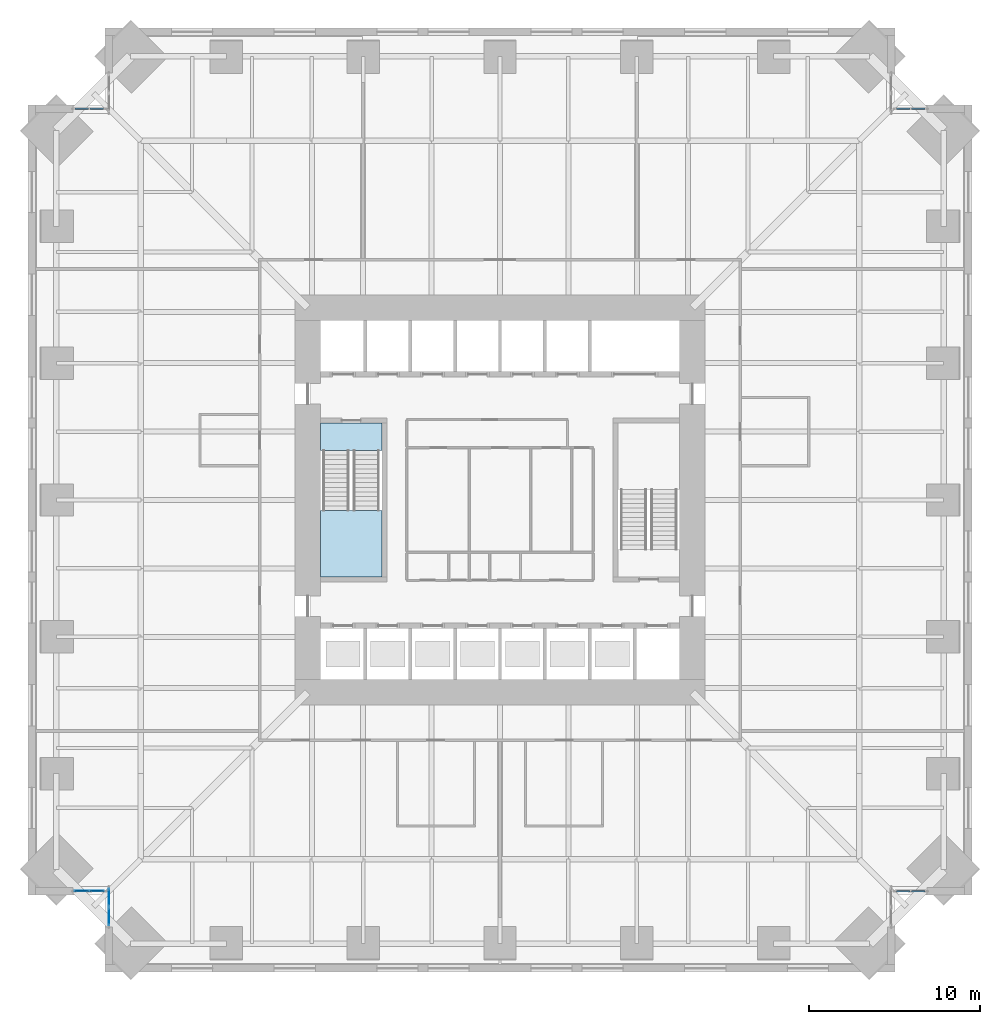
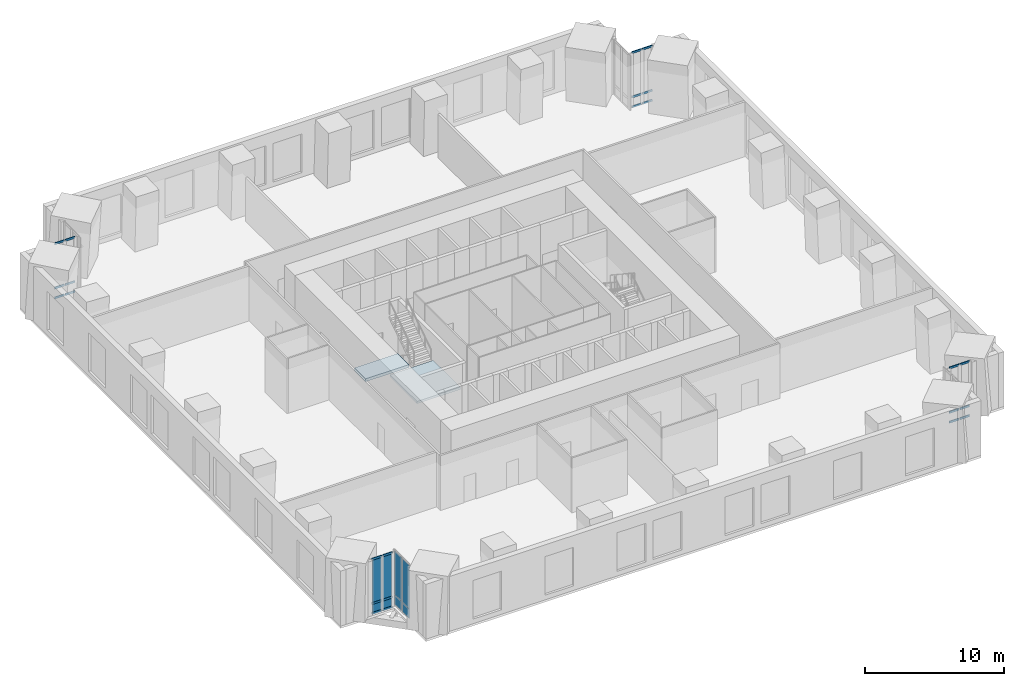
# One storey, part 9 of 18: 24 members, 8 plates, 2 slabs, 6 elements without a shape of their own.
"""IFC4 building model written with IfcOpenShell, lengths in metres."""

from ifc_helpers import new_model, si_unit, direction, frame, origin, origin_2d, place, context, subcontext, project, spatial, polyline, rectangle, hollow_rectangle, outline, extrude, material, layer, layer_set, material_profile, profile_set, type_object, element, aggregate, save


model = new_model("IFC4")

# Units and contexts
model_context = context("Model", 3, precision=1e-05, world=origin(), true_north=direction((0.0, 1.0)))
body_context = subcontext(model_context, "Body", "Model", "MODEL_VIEW")
ifc_project = project(units=[si_unit("LENGTHUNIT", "METRE"), si_unit("AREAUNIT", "SQUARE_METRE"), si_unit("VOLUMEUNIT", "CUBIC_METRE"), si_unit("PLANEANGLEUNIT", "RADIAN"), si_unit("MASSUNIT", "GRAM", prefix="KILO")], contexts=[model_context])

# Site, building, storey
site_placement = place(None, origin())
site = spatial("IfcSite", under=ifc_project, at=site_placement, CompositionType="ELEMENT")
building_placement = place(site_placement, origin())
building = spatial("IfcBuilding", under=site, at=building_placement, Name="Peilmerk Tower", CompositionType="ELEMENT")
storey_placement = place(building_placement, frame((0.0, 0.0, 122.800048828125)))
storey = spatial("IfcBuildingStorey", under=building, at=storey_placement, Name="L24", CompositionType="ELEMENT", Elevation=122.800048828125)

# Curtain wall, members
ifc_material_1 = material(Name="Aluminium stick curtain wall", Category="aluminium")
curtain_wall_type = type_object("IfcCurtainWallType", Name="CW2 stick curtain wall, 2250 module", PredefinedType="NOTDEFINED", material=ifc_material_1)
curtain_wall_1_placement = place(storey_placement, origin())
curtain_wall_1 = element("IfcCurtainWall", 1, at=curtain_wall_1_placement, inside=storey, type_object=curtain_wall_type, Name="Curtain wall CW2 NEB L24", PredefinedType="NOTDEFINED")
ifc_material_2 = material(Name="Aluminium EN AW-6063 T6", Category="aluminium")
ifc_material_profile = material_profile(ifc_material_2, hollow_rectangle(XDim=0.06494140625, YDim=0.179931640625, WallThickness=0.0029296875, at=origin_2d()), Name="AL 180x65x3")
ifc_profile_set = profile_set([ifc_material_profile], Name="Aluminium EN AW-6063 T6")
member_type = type_object("IfcMemberType", Name="CW2-T AL 180x65x3 transom", PredefinedType="USERDEFINED", material=ifc_profile_set)
member_1_placement = place(storey_placement, frame((23.179931640625, 22.875, 0.032470703125), z_axis=(1.0, 0.0, 0.0), x_axis=(0.0, 1.0, 0.0)))
member_1 = element("IfcMember", 2, at=member_1_placement, type_object=member_type, Name="CW2 transom 1.1", ObjectType="TRANSOM", PredefinedType="USERDEFINED", context=body_context, shape_type="SweptSolid", body=[
    extrude(hollow_rectangle(XDim=0.06494140625, YDim=0.179931640625, WallThickness=0.0029296875, at=origin_2d()), origin(), (0.0, 0.0, 1.0), 0.79931640625),
])
member_2_placement = place(storey_placement, frame((23.179931640625, 22.875, 0.89990234375), z_axis=(1.0, 0.0, 0.0), x_axis=(0.0, 1.0, 0.0)))
member_2 = element("IfcMember", 3, at=member_2_placement, type_object=member_type, Name="CW2 transom 1.2", ObjectType="TRANSOM", PredefinedType="USERDEFINED", context=body_context, shape_type="SweptSolid", body=[
    extrude(hollow_rectangle(XDim=0.06494140625, YDim=0.179931640625, WallThickness=0.0029296875, at=origin_2d()), origin(), (0.0, 0.0, 1.0), 0.79931640625),
])
member_3_placement = place(storey_placement, frame((23.179931640625, 22.875, 4.79736328125), z_axis=(1.0, 0.0, 0.0), x_axis=(0.0, 1.0, 0.0)))
member_3 = element("IfcMember", 4, at=member_3_placement, type_object=member_type, Name="CW2 transom 1.3", ObjectType="TRANSOM", PredefinedType="USERDEFINED", context=body_context, shape_type="SweptSolid", body=[
    extrude(hollow_rectangle(XDim=0.06494140625, YDim=0.179931640625, WallThickness=0.0029296875, at=origin_2d()), origin(), (0.0, 0.0, 1.0), 0.79931640625),
])
member_4_placement = place(storey_placement, frame((24.059326171875, 22.875, 0.032470703125), z_axis=(1.0, 0.0, 0.0), x_axis=(0.0, 1.0, 0.0)))
member_4 = element("IfcMember", 5, at=member_4_placement, type_object=member_type, Name="CW2 transom 2.1", ObjectType="TRANSOM", PredefinedType="USERDEFINED", context=body_context, shape_type="SweptSolid", body=[
    extrude(hollow_rectangle(XDim=0.06494140625, YDim=0.179931640625, WallThickness=0.0029296875, at=origin_2d()), origin(), (0.0, 0.0, 1.0), 0.79931640625),
])
member_5_placement = place(storey_placement, frame((24.059326171875, 22.875, 0.89990234375), z_axis=(1.0, 0.0, 0.0), x_axis=(0.0, 1.0, 0.0)))
member_5 = element("IfcMember", 6, at=member_5_placement, type_object=member_type, Name="CW2 transom 2.2", ObjectType="TRANSOM", PredefinedType="USERDEFINED", context=body_context, shape_type="SweptSolid", body=[
    extrude(hollow_rectangle(XDim=0.06494140625, YDim=0.179931640625, WallThickness=0.0029296875, at=origin_2d()), origin(), (0.0, 0.0, 1.0), 0.79931640625),
])
member_6_placement = place(storey_placement, frame((24.059326171875, 22.875, 4.79736328125), z_axis=(1.0, 0.0, 0.0), x_axis=(0.0, 1.0, 0.0)))
member_6 = element("IfcMember", 7, at=member_6_placement, type_object=member_type, Name="CW2 transom 2.3", ObjectType="TRANSOM", PredefinedType="USERDEFINED", context=body_context, shape_type="SweptSolid", body=[
    extrude(hollow_rectangle(XDim=0.06494140625, YDim=0.179931640625, WallThickness=0.0029296875, at=origin_2d()), origin(), (0.0, 0.0, 1.0), 0.79931640625),
])
aggregate(curtain_wall_1, [member_1, member_2, member_3, member_4, member_5, member_6])

curtain_wall_2_placement = place(storey_placement, origin())
curtain_wall_2 = element("IfcCurtainWall", 8, at=curtain_wall_2_placement, inside=storey, type_object=curtain_wall_type, Name="Curtain wall CW2 SEB L24", PredefinedType="NOTDEFINED")
member_7_placement = place(storey_placement, frame((23.179931640625, -22.875, 0.032470703125), z_axis=(1.0, 0.0, 0.0), x_axis=(0.0, 1.0, 0.0)))
member_7 = element("IfcMember", 9, at=member_7_placement, type_object=member_type, Name="CW2 transom 1.1", ObjectType="TRANSOM", PredefinedType="USERDEFINED", context=body_context, shape_type="SweptSolid", body=[
    extrude(hollow_rectangle(XDim=0.06494140625, YDim=0.179931640625, WallThickness=0.0029296875, at=origin_2d()), origin(), (0.0, 0.0, 1.0), 0.79931640625),
])
member_8_placement = place(storey_placement, frame((23.179931640625, -22.875, 0.89990234375), z_axis=(1.0, 0.0, 0.0), x_axis=(0.0, 1.0, 0.0)))
member_8 = element("IfcMember", 10, at=member_8_placement, type_object=member_type, Name="CW2 transom 1.2", ObjectType="TRANSOM", PredefinedType="USERDEFINED", context=body_context, shape_type="SweptSolid", body=[
    extrude(hollow_rectangle(XDim=0.06494140625, YDim=0.179931640625, WallThickness=0.0029296875, at=origin_2d()), origin(), (0.0, 0.0, 1.0), 0.79931640625),
])
member_9_placement = place(storey_placement, frame((23.179931640625, -22.875, 4.79736328125), z_axis=(1.0, 0.0, 0.0), x_axis=(0.0, 1.0, 0.0)))
member_9 = element("IfcMember", 11, at=member_9_placement, type_object=member_type, Name="CW2 transom 1.3", ObjectType="TRANSOM", PredefinedType="USERDEFINED", context=body_context, shape_type="SweptSolid", body=[
    extrude(hollow_rectangle(XDim=0.06494140625, YDim=0.179931640625, WallThickness=0.0029296875, at=origin_2d()), origin(), (0.0, 0.0, 1.0), 0.79931640625),
])
member_10_placement = place(storey_placement, frame((24.059326171875, -22.875, 0.032470703125), z_axis=(1.0, 0.0, 0.0), x_axis=(0.0, 1.0, 0.0)))
member_10 = element("IfcMember", 12, at=member_10_placement, type_object=member_type, Name="CW2 transom 2.1", ObjectType="TRANSOM", PredefinedType="USERDEFINED", context=body_context, shape_type="SweptSolid", body=[
    extrude(hollow_rectangle(XDim=0.06494140625, YDim=0.179931640625, WallThickness=0.0029296875, at=origin_2d()), origin(), (0.0, 0.0, 1.0), 0.79931640625),
])
member_11_placement = place(storey_placement, frame((24.059326171875, -22.875, 0.89990234375), z_axis=(1.0, 0.0, 0.0), x_axis=(0.0, 1.0, 0.0)))
member_11 = element("IfcMember", 13, at=member_11_placement, type_object=member_type, Name="CW2 transom 2.2", ObjectType="TRANSOM", PredefinedType="USERDEFINED", context=body_context, shape_type="SweptSolid", body=[
    extrude(hollow_rectangle(XDim=0.06494140625, YDim=0.179931640625, WallThickness=0.0029296875, at=origin_2d()), origin(), (0.0, 0.0, 1.0), 0.79931640625),
])
member_12_placement = place(storey_placement, frame((24.059326171875, -22.875, 4.79736328125), z_axis=(1.0, 0.0, 0.0), x_axis=(0.0, 1.0, 0.0)))
member_12 = element("IfcMember", 14, at=member_12_placement, type_object=member_type, Name="CW2 transom 2.3", ObjectType="TRANSOM", PredefinedType="USERDEFINED", context=body_context, shape_type="SweptSolid", body=[
    extrude(hollow_rectangle(XDim=0.06494140625, YDim=0.179931640625, WallThickness=0.0029296875, at=origin_2d()), origin(), (0.0, 0.0, 1.0), 0.79931640625),
])
aggregate(curtain_wall_2, [member_7, member_8, member_9, member_10, member_11, member_12])

curtain_wall_3_placement = place(storey_placement, origin())
curtain_wall_3 = element("IfcCurtainWall", 15, at=curtain_wall_3_placement, inside=storey, type_object=curtain_wall_type, Name="Curtain wall CW2 SWB L24", PredefinedType="NOTDEFINED")
member_13_placement = place(storey_placement, frame((-23.179931640625, -22.875, 0.032470703125), z_axis=(-1.0, 0.0, 0.0), x_axis=(0.0, -1.0, 0.0)))
member_13 = element("IfcMember", 16, at=member_13_placement, type_object=member_type, Name="CW2 transom 1.1", ObjectType="TRANSOM", PredefinedType="USERDEFINED", context=body_context, shape_type="SweptSolid", body=[
    extrude(hollow_rectangle(XDim=0.06494140625, YDim=0.179931640625, WallThickness=0.0029296875, at=origin_2d()), origin(), (0.0, 0.0, 1.0), 0.79931640625),
])
member_14_placement = place(storey_placement, frame((-23.179931640625, -22.875, 0.89990234375), z_axis=(-1.0, 0.0, 0.0), x_axis=(0.0, -1.0, 0.0)))
member_14 = element("IfcMember", 17, at=member_14_placement, type_object=member_type, Name="CW2 transom 1.2", ObjectType="TRANSOM", PredefinedType="USERDEFINED", context=body_context, shape_type="SweptSolid", body=[
    extrude(hollow_rectangle(XDim=0.06494140625, YDim=0.179931640625, WallThickness=0.0029296875, at=origin_2d()), origin(), (0.0, 0.0, 1.0), 0.79931640625),
])
member_15_placement = place(storey_placement, frame((-23.179931640625, -22.875, 4.79736328125), z_axis=(-1.0, 0.0, 0.0), x_axis=(0.0, -1.0, 0.0)))
member_15 = element("IfcMember", 18, at=member_15_placement, type_object=member_type, Name="CW2 transom 1.3", ObjectType="TRANSOM", PredefinedType="USERDEFINED", context=body_context, shape_type="SweptSolid", body=[
    extrude(hollow_rectangle(XDim=0.06494140625, YDim=0.179931640625, WallThickness=0.0029296875, at=origin_2d()), origin(), (0.0, 0.0, 1.0), 0.79931640625),
])
member_16_placement = place(storey_placement, frame((-24.059326171875, -22.875, 0.032470703125), z_axis=(-1.0, 0.0, 0.0), x_axis=(0.0, -1.0, 0.0)))
member_16 = element("IfcMember", 19, at=member_16_placement, type_object=member_type, Name="CW2 transom 2.1", ObjectType="TRANSOM", PredefinedType="USERDEFINED", context=body_context, shape_type="SweptSolid", body=[
    extrude(hollow_rectangle(XDim=0.06494140625, YDim=0.179931640625, WallThickness=0.0029296875, at=origin_2d()), origin(), (0.0, 0.0, 1.0), 0.79931640625),
])
member_17_placement = place(storey_placement, frame((-24.059326171875, -22.875, 0.89990234375), z_axis=(-1.0, 0.0, 0.0), x_axis=(0.0, -1.0, 0.0)))
member_17 = element("IfcMember", 20, at=member_17_placement, type_object=member_type, Name="CW2 transom 2.2", ObjectType="TRANSOM", PredefinedType="USERDEFINED", context=body_context, shape_type="SweptSolid", body=[
    extrude(hollow_rectangle(XDim=0.06494140625, YDim=0.179931640625, WallThickness=0.0029296875, at=origin_2d()), origin(), (0.0, 0.0, 1.0), 0.79931640625),
])
member_18_placement = place(storey_placement, frame((-24.059326171875, -22.875, 4.79736328125), z_axis=(-1.0, 0.0, 0.0), x_axis=(0.0, -1.0, 0.0)))
member_18 = element("IfcMember", 21, at=member_18_placement, type_object=member_type, Name="CW2 transom 2.3", ObjectType="TRANSOM", PredefinedType="USERDEFINED", context=body_context, shape_type="SweptSolid", body=[
    extrude(hollow_rectangle(XDim=0.06494140625, YDim=0.179931640625, WallThickness=0.0029296875, at=origin_2d()), origin(), (0.0, 0.0, 1.0), 0.79931640625),
])

curtain_wall_4_placement = place(storey_placement, origin())
curtain_wall_4 = element("IfcCurtainWall", 22, at=curtain_wall_4_placement, inside=storey, type_object=curtain_wall_type, Name="Curtain wall CW2 NWB L24", PredefinedType="NOTDEFINED")
member_19_placement = place(storey_placement, frame((-23.179931640625, 22.875, 0.032470703125), z_axis=(-1.0, 0.0, 0.0), x_axis=(0.0, -1.0, 0.0)))
member_19 = element("IfcMember", 23, at=member_19_placement, type_object=member_type, Name="CW2 transom 1.1", ObjectType="TRANSOM", PredefinedType="USERDEFINED", context=body_context, shape_type="SweptSolid", body=[
    extrude(hollow_rectangle(XDim=0.06494140625, YDim=0.179931640625, WallThickness=0.0029296875, at=origin_2d()), origin(), (0.0, 0.0, 1.0), 0.79931640625),
])
member_20_placement = place(storey_placement, frame((-23.179931640625, 22.875, 0.89990234375), z_axis=(-1.0, 0.0, 0.0), x_axis=(0.0, -1.0, 0.0)))
member_20 = element("IfcMember", 24, at=member_20_placement, type_object=member_type, Name="CW2 transom 1.2", ObjectType="TRANSOM", PredefinedType="USERDEFINED", context=body_context, shape_type="SweptSolid", body=[
    extrude(hollow_rectangle(XDim=0.06494140625, YDim=0.179931640625, WallThickness=0.0029296875, at=origin_2d()), origin(), (0.0, 0.0, 1.0), 0.79931640625),
])
member_21_placement = place(storey_placement, frame((-23.179931640625, 22.875, 4.79736328125), z_axis=(-1.0, 0.0, 0.0), x_axis=(0.0, -1.0, 0.0)))
member_21 = element("IfcMember", 25, at=member_21_placement, type_object=member_type, Name="CW2 transom 1.3", ObjectType="TRANSOM", PredefinedType="USERDEFINED", context=body_context, shape_type="SweptSolid", body=[
    extrude(hollow_rectangle(XDim=0.06494140625, YDim=0.179931640625, WallThickness=0.0029296875, at=origin_2d()), origin(), (0.0, 0.0, 1.0), 0.79931640625),
])
member_22_placement = place(storey_placement, frame((-24.059326171875, 22.875, 0.032470703125), z_axis=(-1.0, 0.0, 0.0), x_axis=(0.0, -1.0, 0.0)))
member_22 = element("IfcMember", 26, at=member_22_placement, type_object=member_type, Name="CW2 transom 2.1", ObjectType="TRANSOM", PredefinedType="USERDEFINED", context=body_context, shape_type="SweptSolid", body=[
    extrude(hollow_rectangle(XDim=0.06494140625, YDim=0.179931640625, WallThickness=0.0029296875, at=origin_2d()), origin(), (0.0, 0.0, 1.0), 0.79931640625),
])
member_23_placement = place(storey_placement, frame((-24.059326171875, 22.875, 0.89990234375), z_axis=(-1.0, 0.0, 0.0), x_axis=(0.0, -1.0, 0.0)))
member_23 = element("IfcMember", 27, at=member_23_placement, type_object=member_type, Name="CW2 transom 2.2", ObjectType="TRANSOM", PredefinedType="USERDEFINED", context=body_context, shape_type="SweptSolid", body=[
    extrude(hollow_rectangle(XDim=0.06494140625, YDim=0.179931640625, WallThickness=0.0029296875, at=origin_2d()), origin(), (0.0, 0.0, 1.0), 0.79931640625),
])
member_24_placement = place(storey_placement, frame((-24.059326171875, 22.875, 4.79736328125), z_axis=(-1.0, 0.0, 0.0), x_axis=(0.0, -1.0, 0.0)))
member_24 = element("IfcMember", 28, at=member_24_placement, type_object=member_type, Name="CW2 transom 2.3", ObjectType="TRANSOM", PredefinedType="USERDEFINED", context=body_context, shape_type="SweptSolid", body=[
    extrude(hollow_rectangle(XDim=0.06494140625, YDim=0.179931640625, WallThickness=0.0029296875, at=origin_2d()), origin(), (0.0, 0.0, 1.0), 0.79931640625),
])
aggregate(curtain_wall_4, [member_19, member_20, member_21, member_22, member_23, member_24])

# Curtain wall, plates
curtain_wall_5_placement = place(storey_placement, origin())
curtain_wall_5 = element("IfcCurtainWall", 29, at=curtain_wall_5_placement, inside=storey, type_object=curtain_wall_type, Name="Curtain wall CW2 SWA L24", PredefinedType="NOTDEFINED")
ifc_material_3 = material(Name="Clear insulated glazing unit", Category="glass")
ifc_layer_1 = layer(ifc_material_3, 0.028076171875)
ifc_layer_set_1 = layer_set([ifc_layer_1], Name="Clear insulated glazing unit")
plate_type = type_object("IfcPlateType", Name="CW2-P 28 glazed panel", PredefinedType="CURTAIN_PANEL", material=ifc_layer_set_1)
plate_1_placement = place(storey_placement, frame((-22.875, -23.2421875, 0.06494140625), z_axis=(0.0, 0.0, 1.0), x_axis=(0.0, -1.0, 0.0)))
plate_1 = element("IfcPlate", 30, at=plate_1_placement, type_object=plate_type, Name="CW2 panel 1.1", PredefinedType="CURTAIN_PANEL", context=body_context, shape_type="SweptSolid", body=[
    extrude(rectangle(XDim=1.0244140625, YDim=0.028076171875, at=origin_2d()), origin(), (0.0, 0.0, 1.0), 0.802490234375),
])
plate_2_placement = place(storey_placement, frame((-22.875, -23.2421875, 0.932373046875), z_axis=(0.0, 0.0, 1.0), x_axis=(0.0, -1.0, 0.0)))
plate_2 = element("IfcPlate", 31, at=plate_2_placement, type_object=plate_type, Name="CW2 panel 1.2", PredefinedType="CURTAIN_PANEL", context=body_context, shape_type="SweptSolid", body=[
    extrude(rectangle(XDim=1.0244140625, YDim=0.028076171875, at=origin_2d()), origin(), (0.0, 0.0, 1.0), 3.83251953125),
])
plate_3_placement = place(storey_placement, frame((-22.875, -24.346435546875, 0.06494140625), z_axis=(0.0, 0.0, 1.0), x_axis=(0.0, -1.0, 0.0)))
plate_3 = element("IfcPlate", 32, at=plate_3_placement, type_object=plate_type, Name="CW2 panel 2.1", PredefinedType="CURTAIN_PANEL", context=body_context, shape_type="SweptSolid", body=[
    extrude(rectangle(XDim=1.0244140625, YDim=0.028076171875, at=origin_2d()), origin(), (0.0, 0.0, 1.0), 0.802490234375),
])
plate_4_placement = place(storey_placement, frame((-22.875, -24.346435546875, 0.932373046875), z_axis=(0.0, 0.0, 1.0), x_axis=(0.0, -1.0, 0.0)))
plate_4 = element("IfcPlate", 33, at=plate_4_placement, type_object=plate_type, Name="CW2 panel 2.2", PredefinedType="CURTAIN_PANEL", context=body_context, shape_type="SweptSolid", body=[
    extrude(rectangle(XDim=1.0244140625, YDim=0.028076171875, at=origin_2d()), origin(), (0.0, 0.0, 1.0), 3.83251953125),
])
aggregate(curtain_wall_5, [plate_1, plate_2, plate_3, plate_4])

# Plate
plate_5_placement = place(storey_placement, frame((-23.57958984375, -22.875, 0.06494140625), z_axis=(0.0, 0.0, 1.0), x_axis=(-1.0, 0.0, 0.0)))
plate_5 = element("IfcPlate", 34, at=plate_5_placement, type_object=plate_type, Name="CW2 panel 1.1", PredefinedType="CURTAIN_PANEL", context=body_context, shape_type="SweptSolid", body=[
    extrude(rectangle(XDim=0.79931640625, YDim=0.028076171875, at=origin_2d()), origin(), (0.0, 0.0, 1.0), 0.802490234375),
])

plate_6_placement = place(storey_placement, frame((-23.57958984375, -22.875, 0.932373046875), z_axis=(0.0, 0.0, 1.0), x_axis=(-1.0, 0.0, 0.0)))
plate_6 = element("IfcPlate", 35, at=plate_6_placement, type_object=plate_type, Name="CW2 panel 1.2", PredefinedType="CURTAIN_PANEL", context=body_context, shape_type="SweptSolid", body=[
    extrude(rectangle(XDim=0.79931640625, YDim=0.028076171875, at=origin_2d()), origin(), (0.0, 0.0, 1.0), 3.83251953125),
])

plate_7_placement = place(storey_placement, frame((-24.458984375, -22.875, 0.06494140625), z_axis=(0.0, 0.0, 1.0), x_axis=(-1.0, 0.0, 0.0)))
plate_7 = element("IfcPlate", 36, at=plate_7_placement, type_object=plate_type, Name="CW2 panel 2.1", PredefinedType="CURTAIN_PANEL", context=body_context, shape_type="SweptSolid", body=[
    extrude(rectangle(XDim=0.79931640625, YDim=0.028076171875, at=origin_2d()), origin(), (0.0, 0.0, 1.0), 0.802490234375),
])

plate_8_placement = place(storey_placement, frame((-24.458984375, -22.875, 0.932373046875), z_axis=(0.0, 0.0, 1.0), x_axis=(-1.0, 0.0, 0.0)))
plate_8 = element("IfcPlate", 37, at=plate_8_placement, type_object=plate_type, Name="CW2 panel 2.2", PredefinedType="CURTAIN_PANEL", context=body_context, shape_type="SweptSolid", body=[
    extrude(rectangle(XDim=0.79931640625, YDim=0.028076171875, at=origin_2d()), origin(), (0.0, 0.0, 1.0), 3.83251953125),
])

aggregate(curtain_wall_3, [member_13, member_14, member_15, plate_5, plate_6, member_16, member_17, member_18, plate_7, plate_8])

# Stair, slabs
ifc_material_4 = material(Name="Precast concrete C45/55", Category="concrete")
stair_type = type_object("IfcStairType", Name="ST1 28 risers of 178.6", PredefinedType="HALF_TURN_STAIR", material=ifc_material_4)
stair_placement = place(storey_placement, origin())
stair = element("IfcStair", 38, at=stair_placement, inside=storey, type_object=stair_type, Name="Stair 1 L24 to L25", PredefinedType="HALF_TURN_STAIR")
ifc_material_5 = material(Name="Concrete C35/45", Category="concrete")
ifc_layer_2 = layer(ifc_material_5, 0.199951171875)
ifc_layer_set_2 = layer_set([ifc_layer_2], Name="Concrete C35/45")
slab_type_1 = type_object("IfcSlabType", Name="SL1 200 concrete stair landing", PredefinedType="LANDING", material=ifc_layer_set_2)
slab_1_placement = place(storey_placement, frame((0.0, 0.0, 2.300048828125)))
slab_1 = element("IfcSlab", 39, at=slab_1_placement, type_object=slab_type_1, Name="ST1 landing 1", PredefinedType="LANDING", context=body_context, shape_type="SweptSolid", body=[
    extrude(outline(polyline([(-10.5, -4.5), (-6.89990234375, -4.5), (-6.89990234375, -0.610107421875), (-10.5, -0.610107421875), (-10.5, -4.5)])), origin(), (0.0, 0.0, 1.0), 0.199951171875),
])
ifc_layer_3 = layer(ifc_material_5, 0.25)
ifc_layer_set_3 = layer_set([ifc_layer_3], Name="Concrete C35/45")
slab_type_2 = type_object("IfcSlabType", Name="SL2 250 concrete floor landing", PredefinedType="LANDING", material=ifc_layer_set_3)
slab_2_placement = place(storey_placement, frame((0.0, 0.0, -0.25)))
slab_2 = element("IfcSlab", 40, at=slab_2_placement, type_object=slab_type_2, Name="ST1 floor landing", PredefinedType="LANDING", context=body_context, shape_type="SweptSolid", body=[
    extrude(outline(polyline([(-10.5, 2.89990234375), (-6.89990234375, 2.89990234375), (-6.89990234375, 4.5), (-10.5, 4.5), (-10.5, 2.89990234375)])), origin(), (0.0, 0.0, 1.0), 0.25),
])
aggregate(stair, [slab_1, slab_2])

save(model, "model.ifc")
